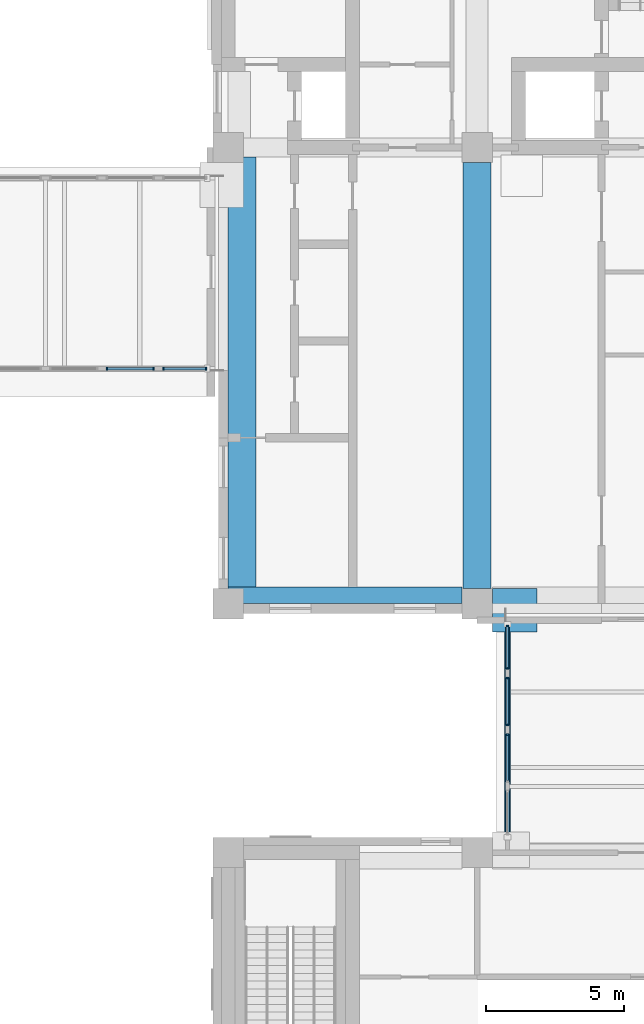
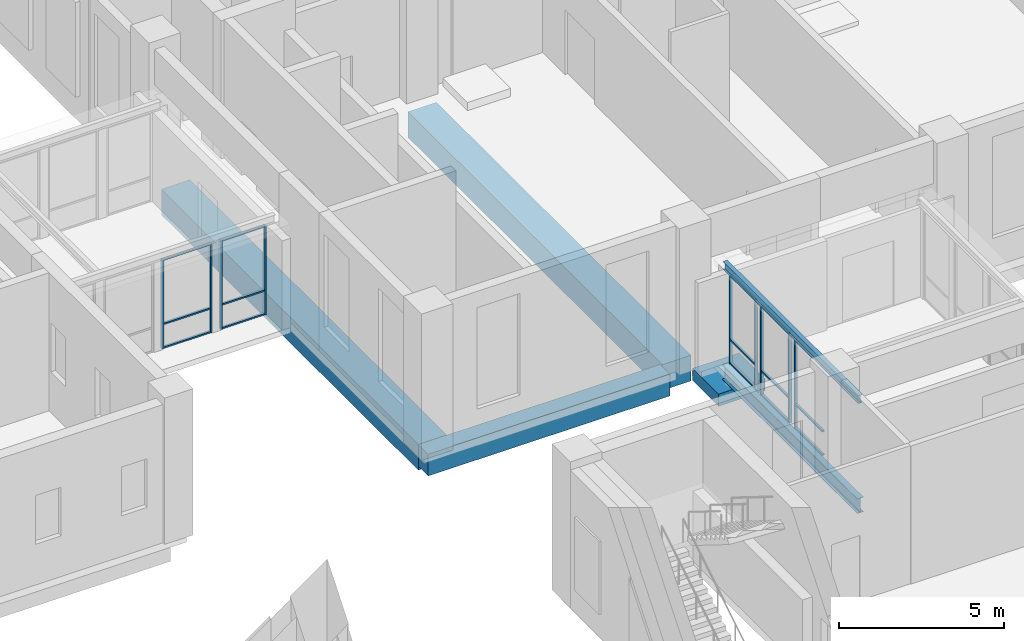
# One storey, part 13 of 52: 25 members, 5 beams, 5 elements without a shape of their own.
"""IFC4 building model written with IfcOpenShell, lengths in metres."""

from ifc_helpers import new_model, si_unit, direction, frame, origin, origin_2d, place, context, subcontext, project, spatial, rectangle, i_section, extrude, material, layer, layer_set, material_profile, profile_set, type_object, element, aggregate, save


model = new_model("IFC4")

# Units and contexts
model_context = context("Model", 3, precision=1e-05, world=origin(), true_north=direction((0.0, 1.0)))
body_context = subcontext(model_context, "Body", "Model", "MODEL_VIEW")
ifc_project = project(units=[si_unit("LENGTHUNIT", "METRE"), si_unit("AREAUNIT", "SQUARE_METRE"), si_unit("VOLUMEUNIT", "CUBIC_METRE"), si_unit("PLANEANGLEUNIT", "RADIAN"), si_unit("MASSUNIT", "GRAM", prefix="KILO")], contexts=[model_context])

# Site, building, storey
site_placement = place(None, origin())
site = spatial("IfcSite", under=ifc_project, at=site_placement, CompositionType="ELEMENT")
building_placement = place(site_placement, origin())
building = spatial("IfcBuilding", under=site, at=building_placement, Name="Aurelan Courthouse", CompositionType="ELEMENT")
storey_placement = place(building_placement, frame((0.0, 0.0, 6.60009765625)))
storey = spatial("IfcBuildingStorey", under=building, at=storey_placement, Name="L01", CompositionType="ELEMENT", Elevation=6.60009765625)

# Beam
ifc_material_1 = material(Name="Steel S355", Category="steel")
ifc_material_profile_1 = material_profile(ifc_material_1, i_section(OverallWidth=0.2099609375, OverallDepth=0.550048828125, WebThickness=0.010986328125, FlangeThickness=0.01708984375, FilletRadius=0.02392578125, at=origin_2d()), Name="IPE 550")
ifc_profile_set_1 = profile_set([ifc_material_profile_1], Name="Steel S355")
beam_type_1 = type_object("IfcBeamType", Name="Bridge girder IPE 550", PredefinedType="BEAM", material=ifc_profile_set_1)
beam_1_placement = place(storey_placement, frame((46.10009765625, 28.85009765625, -0.47509765625), z_axis=(0.0, 1.0, 0.0), x_axis=(-1.0, 0.0, 0.0)))
element("IfcBeam", 1, at=beam_1_placement, inside=storey, type_object=beam_type_1, Name="Bridge girder BG-5", PredefinedType="BEAM", context=body_context, shape_type="SweptSolid", body=[
    extrude(i_section(OverallWidth=0.2099609375, OverallDepth=0.550048828125, WebThickness=0.010986328125, FlangeThickness=0.01708984375, FilletRadius=0.02392578125, at=origin_2d()), origin(), (0.0, 0.0, 1.0), 8.1748046875),
])

# Member
ifc_material_2 = material(Name="Concrete C50", Category="concrete")
member_type_1 = type_object("IfcMemberType", Name="Corbel 1575 x 1625 x 450", PredefinedType="USERDEFINED", material=ifc_material_2)
member_1_placement = place(storey_placement, frame((46.362548828125, 37.262451171875, -1.25), z_axis=(0.0, 0.0, 1.0), x_axis=(1.0, 0.0, 0.0)))
element("IfcMember", 2, at=member_1_placement, inside=storey, type_object=member_type_1, Name="Corbel CO-10", ObjectType="CORBEL", PredefinedType="USERDEFINED", context=body_context, shape_type="SweptSolid", body=[
    extrude(rectangle(XDim=1.625, YDim=1.574951171875, at=origin_2d()), origin(), (0.0, 0.0, 1.0), 0.449951171875),
])

# Beams
ifc_material_profile_2 = material_profile(ifc_material_2, rectangle(XDim=1.0, YDim=0.949951171875, at=origin_2d()), Name="RC 1000 x 950")
ifc_profile_set_2 = profile_set([ifc_material_profile_2], Name="Concrete C50")
beam_type_2 = type_object("IfcBeamType", Name="PT girder 1000 x 950", PredefinedType="BEAM", material=ifc_profile_set_2)
beam_2_placement = place(storey_placement, frame((36.5, 38.10009765625, -0.775146484375), z_axis=(0.0, 1.0, 0.0), x_axis=(-1.0, 0.0, 0.0)))
element("IfcBeam", 3, at=beam_2_placement, inside=storey, type_object=beam_type_2, Name="Girder GB-5DE-E", PredefinedType="BEAM", context=body_context, shape_type="SweptSolid", body=[
    extrude(rectangle(XDim=1.0, YDim=0.949951171875, at=origin_2d()), origin(), (0.0, 0.0, 1.0), 15.5498046875),
])
beam_3_placement = place(storey_placement, frame((45.0, 38.050048828125, -0.775146484375), z_axis=(0.0, 1.0, 0.0), x_axis=(-1.0, 0.0, 0.0)))
element("IfcBeam", 4, at=beam_3_placement, inside=storey, type_object=beam_type_2, Name="Girder GB-6DE", PredefinedType="BEAM", context=body_context, shape_type="SweptSolid", body=[
    extrude(rectangle(XDim=1.0, YDim=0.949951171875, at=origin_2d()), origin(), (0.0, 0.0, 1.0), 15.39990234375),
])
ifc_material_profile_3 = material_profile(ifc_material_1, i_section(OverallWidth=0.14990234375, OverallDepth=0.300048828125, WebThickness=0.007080078125, FlangeThickness=0.0107421875, FilletRadius=0.014892578125, at=origin_2d()), Name="IPE 300")
ifc_profile_set_3 = profile_set([ifc_material_profile_3], Name="Steel S355")
beam_type_3 = type_object("IfcBeamType", Name="Passage edge beam IPE 300", PredefinedType="BEAM", material=ifc_profile_set_3)
beam_4_placement = place(storey_placement, frame((46.10009765625, 28.85009765625, 3.449951171875), z_axis=(0.0, 1.0, 0.0), x_axis=(-1.0, 0.0, 0.0)))
element("IfcBeam", 5, at=beam_4_placement, inside=storey, type_object=beam_type_3, Name="Passage edge beam BR3-BA", PredefinedType="BEAM", context=body_context, shape_type="SweptSolid", body=[
    extrude(i_section(OverallWidth=0.14990234375, OverallDepth=0.300048828125, WebThickness=0.007080078125, FlangeThickness=0.0107421875, FilletRadius=0.014892578125, at=origin_2d()), origin(), (0.0, 0.0, 1.0), 8.1748046875),
])

# Curtain wall, member
ifc_material_3 = material(Name="Bronze-finished aluminium and glass", Category="aluminium")
ifc_layer_1 = layer(ifc_material_3, 0.1201171875)
ifc_layer_set_1 = layer_set([ifc_layer_1], Name="Bronze-finished aluminium and glass")
curtain_wall_type_1 = type_object("IfcCurtainWallType", Name="Passage glazing 1744 x 3300", PredefinedType="NOTDEFINED", material=ifc_layer_set_1)
curtain_wall_1_placement = place(storey_placement, origin())
curtain_wall_1 = element("IfcCurtainWall", 6, at=curtain_wall_1_placement, inside=storey, type_object=curtain_wall_type_1, Name="Curtain wall CW-L01-BR302", PredefinedType="NOTDEFINED")
ifc_material_4 = material(Name="Bronze-finished aluminium", Category="aluminium")
ifc_material_profile_4 = material_profile(ifc_material_4, rectangle(XDim=0.10009765625, YDim=0.054931640625, at=origin_2d()), Name="Passage glazing mullion 55 x 100")
ifc_profile_set_4 = profile_set([ifc_material_profile_4], Name="Bronze-finished aluminium")
member_type_2 = type_object("IfcMemberType", Name="Passage glazing mullion 55 x 100", PredefinedType="MULLION", material=ifc_profile_set_4)
member_2_placement = place(storey_placement, frame((46.10009765625, 32.760009765625, 0.0), z_axis=(0.0, 0.0, 1.0), x_axis=(-1.0, 0.0, 0.0)))
member_2 = element("IfcMember", 7, at=member_2_placement, type_object=member_type_2, Name="CW-L01-BR302 mullion 2", PredefinedType="MULLION", context=body_context, shape_type="SweptSolid", body=[
    extrude(rectangle(XDim=0.10009765625, YDim=0.054931640625, at=origin_2d()), origin(), (0.0, 0.0, 1.0), 3.2998046875),
])

# Curtain wall, members
curtain_wall_2_placement = place(storey_placement, origin())
curtain_wall_2 = element("IfcCurtainWall", 8, at=curtain_wall_2_placement, inside=storey, type_object=curtain_wall_type_1, Name="Curtain wall CW-L01-BR303", PredefinedType="NOTDEFINED")
member_3_placement = place(storey_placement, frame((46.10009765625, 33.114990234375, 0.0), z_axis=(0.0, 0.0, 1.0), x_axis=(-1.0, 0.0, 0.0)))
member_3 = element("IfcMember", 9, at=member_3_placement, type_object=member_type_2, Name="CW-L01-BR303 mullion 1", PredefinedType="MULLION", context=body_context, shape_type="SweptSolid", body=[
    extrude(rectangle(XDim=0.10009765625, YDim=0.054931640625, at=origin_2d()), origin(), (0.0, 0.0, 1.0), 3.2998046875),
])
member_4_placement = place(storey_placement, frame((46.10009765625, 34.8037109375, 0.0), z_axis=(0.0, 0.0, 1.0), x_axis=(-1.0, 0.0, 0.0)))
member_4 = element("IfcMember", 10, at=member_4_placement, type_object=member_type_2, Name="CW-L01-BR303 mullion 2", PredefinedType="MULLION", context=body_context, shape_type="SweptSolid", body=[
    extrude(rectangle(XDim=0.10009765625, YDim=0.054931640625, at=origin_2d()), origin(), (0.0, 0.0, 1.0), 3.2998046875),
])

ifc_layer_2 = layer(ifc_material_3, 0.1201171875)
ifc_layer_set_2 = layer_set([ifc_layer_2], Name="Bronze-finished aluminium and glass")
curtain_wall_type_2 = type_object("IfcCurtainWallType", Name="Passage glazing 1594 x 3300", PredefinedType="NOTDEFINED", material=ifc_layer_set_2)
curtain_wall_3_placement = place(storey_placement, origin())
curtain_wall_3 = element("IfcCurtainWall", 11, at=curtain_wall_3_placement, inside=storey, type_object=curtain_wall_type_2, Name="Curtain wall CW-L01-BR304", PredefinedType="NOTDEFINED")
member_5_placement = place(storey_placement, frame((46.10009765625, 35.15869140625, 0.0), z_axis=(0.0, 0.0, 1.0), x_axis=(-1.0, 0.0, 0.0)))
member_5 = element("IfcMember", 12, at=member_5_placement, type_object=member_type_2, Name="CW-L01-BR304 mullion 1", PredefinedType="MULLION", context=body_context, shape_type="SweptSolid", body=[
    extrude(rectangle(XDim=0.10009765625, YDim=0.054931640625, at=origin_2d()), origin(), (0.0, 0.0, 1.0), 3.2998046875),
])
member_6_placement = place(storey_placement, frame((46.10009765625, 36.697509765625, 0.0), z_axis=(0.0, 0.0, 1.0), x_axis=(-1.0, 0.0, 0.0)))
member_6 = element("IfcMember", 13, at=member_6_placement, type_object=member_type_2, Name="CW-L01-BR304 mullion 2", PredefinedType="MULLION", context=body_context, shape_type="SweptSolid", body=[
    extrude(rectangle(XDim=0.10009765625, YDim=0.054931640625, at=origin_2d()), origin(), (0.0, 0.0, 1.0), 3.2998046875),
])

curtain_wall_4_placement = place(storey_placement, origin())
curtain_wall_4 = element("IfcCurtainWall", 14, at=curtain_wall_4_placement, inside=storey, type_object=curtain_wall_type_1, Name="Curtain wall CW-L01-BR403", PredefinedType="NOTDEFINED")
member_7_placement = place(storey_placement, frame((31.614990234375, 46.0, 0.0), z_axis=(0.0, 0.0, 1.0), x_axis=(0.0, 1.0, 0.0)))
member_7 = element("IfcMember", 15, at=member_7_placement, type_object=member_type_2, Name="CW-L01-BR403 mullion 1", PredefinedType="MULLION", context=body_context, shape_type="SweptSolid", body=[
    extrude(rectangle(XDim=0.10009765625, YDim=0.054931640625, at=origin_2d()), origin(), (0.0, 0.0, 1.0), 3.2998046875),
])
member_8_placement = place(storey_placement, frame((33.3037109375, 46.0, 0.0), z_axis=(0.0, 0.0, 1.0), x_axis=(0.0, 1.0, 0.0)))
member_8 = element("IfcMember", 16, at=member_8_placement, type_object=member_type_2, Name="CW-L01-BR403 mullion 2", PredefinedType="MULLION", context=body_context, shape_type="SweptSolid", body=[
    extrude(rectangle(XDim=0.10009765625, YDim=0.054931640625, at=origin_2d()), origin(), (0.0, 0.0, 1.0), 3.2998046875),
])

curtain_wall_5_placement = place(storey_placement, origin())
curtain_wall_5 = element("IfcCurtainWall", 17, at=curtain_wall_5_placement, inside=storey, type_object=curtain_wall_type_2, Name="Curtain wall CW-L01-BR404", PredefinedType="NOTDEFINED")
member_9_placement = place(storey_placement, frame((33.65869140625, 46.0, 0.0), z_axis=(0.0, 0.0, 1.0), x_axis=(0.0, 1.0, 0.0)))
member_9 = element("IfcMember", 18, at=member_9_placement, type_object=member_type_2, Name="CW-L01-BR404 mullion 1", PredefinedType="MULLION", context=body_context, shape_type="SweptSolid", body=[
    extrude(rectangle(XDim=0.10009765625, YDim=0.054931640625, at=origin_2d()), origin(), (0.0, 0.0, 1.0), 3.2998046875),
])
member_10_placement = place(storey_placement, frame((35.197509765625, 46.0, 0.0), z_axis=(0.0, 0.0, 1.0), x_axis=(0.0, 1.0, 0.0)))
member_10 = element("IfcMember", 19, at=member_10_placement, type_object=member_type_2, Name="CW-L01-BR404 mullion 2", PredefinedType="MULLION", context=body_context, shape_type="SweptSolid", body=[
    extrude(rectangle(XDim=0.10009765625, YDim=0.054931640625, at=origin_2d()), origin(), (0.0, 0.0, 1.0), 3.2998046875),
])

# Member
ifc_material_profile_5 = material_profile(ifc_material_4, rectangle(XDim=0.080078125, YDim=0.054931640625, at=origin_2d()), Name="Passage glazing transom 55 x 80")
ifc_profile_set_5 = profile_set([ifc_material_profile_5], Name="Bronze-finished aluminium")
member_type_3 = type_object("IfcMemberType", Name="Passage glazing transom 55 x 80", PredefinedType="USERDEFINED", material=ifc_profile_set_5)
member_11_placement = place(storey_placement, frame((46.10009765625, 31.0986328125, 0.02734375), z_axis=(0.0, 1.0, 0.0), x_axis=(-1.0, 0.0, 0.0)))
member_11 = element("IfcMember", 20, at=member_11_placement, type_object=member_type_3, Name="CW-L01-BR302 transom 1.1", ObjectType="TRANSOM", PredefinedType="USERDEFINED", context=body_context, shape_type="SweptSolid", body=[
    extrude(rectangle(XDim=0.080078125, YDim=0.054931640625, at=origin_2d()), origin(), (0.0, 0.0, 1.0), 1.6337890625),
])

member_12_placement = place(storey_placement, frame((46.10009765625, 31.0986328125, 0.89990234375), z_axis=(0.0, 1.0, 0.0), x_axis=(-1.0, 0.0, 0.0)))
member_12 = element("IfcMember", 21, at=member_12_placement, type_object=member_type_3, Name="CW-L01-BR302 transom 1.2", ObjectType="TRANSOM", PredefinedType="USERDEFINED", context=body_context, shape_type="SweptSolid", body=[
    extrude(rectangle(XDim=0.080078125, YDim=0.054931640625, at=origin_2d()), origin(), (0.0, 0.0, 1.0), 1.6337890625),
])

member_13_placement = place(storey_placement, frame((46.10009765625, 31.0986328125, 3.2724609375), z_axis=(0.0, 1.0, 0.0), x_axis=(-1.0, 0.0, 0.0)))
member_13 = element("IfcMember", 22, at=member_13_placement, type_object=member_type_3, Name="CW-L01-BR302 transom 1.3", ObjectType="TRANSOM", PredefinedType="USERDEFINED", context=body_context, shape_type="SweptSolid", body=[
    extrude(rectangle(XDim=0.080078125, YDim=0.054931640625, at=origin_2d()), origin(), (0.0, 0.0, 1.0), 1.6337890625),
])

aggregate(curtain_wall_1, [member_2, member_11, member_12, member_13])

member_14_placement = place(storey_placement, frame((46.10009765625, 33.142578125, 0.02734375), z_axis=(0.0, 1.0, 0.0), x_axis=(-1.0, 0.0, 0.0)))
member_14 = element("IfcMember", 23, at=member_14_placement, type_object=member_type_3, Name="CW-L01-BR303 transom 1.1", ObjectType="TRANSOM", PredefinedType="USERDEFINED", context=body_context, shape_type="SweptSolid", body=[
    extrude(rectangle(XDim=0.080078125, YDim=0.054931640625, at=origin_2d()), origin(), (0.0, 0.0, 1.0), 1.6337890625),
])

member_15_placement = place(storey_placement, frame((46.10009765625, 33.142578125, 0.89990234375), z_axis=(0.0, 1.0, 0.0), x_axis=(-1.0, 0.0, 0.0)))
member_15 = element("IfcMember", 24, at=member_15_placement, type_object=member_type_3, Name="CW-L01-BR303 transom 1.2", ObjectType="TRANSOM", PredefinedType="USERDEFINED", context=body_context, shape_type="SweptSolid", body=[
    extrude(rectangle(XDim=0.080078125, YDim=0.054931640625, at=origin_2d()), origin(), (0.0, 0.0, 1.0), 1.6337890625),
])

member_16_placement = place(storey_placement, frame((46.10009765625, 33.142578125, 3.2724609375), z_axis=(0.0, 1.0, 0.0), x_axis=(-1.0, 0.0, 0.0)))
member_16 = element("IfcMember", 25, at=member_16_placement, type_object=member_type_3, Name="CW-L01-BR303 transom 1.3", ObjectType="TRANSOM", PredefinedType="USERDEFINED", context=body_context, shape_type="SweptSolid", body=[
    extrude(rectangle(XDim=0.080078125, YDim=0.054931640625, at=origin_2d()), origin(), (0.0, 0.0, 1.0), 1.6337890625),
])

aggregate(curtain_wall_2, [member_3, member_4, member_14, member_15, member_16])

member_17_placement = place(storey_placement, frame((46.10009765625, 35.186279296875, 0.02734375), z_axis=(0.0, 1.0, 0.0), x_axis=(-1.0, 0.0, 0.0)))
member_17 = element("IfcMember", 26, at=member_17_placement, type_object=member_type_3, Name="CW-L01-BR304 transom 1.1", ObjectType="TRANSOM", PredefinedType="USERDEFINED", context=body_context, shape_type="SweptSolid", body=[
    extrude(rectangle(XDim=0.080078125, YDim=0.054931640625, at=origin_2d()), origin(), (0.0, 0.0, 1.0), 1.483642578125),
])

member_18_placement = place(storey_placement, frame((46.10009765625, 35.186279296875, 0.89990234375), z_axis=(0.0, 1.0, 0.0), x_axis=(-1.0, 0.0, 0.0)))
member_18 = element("IfcMember", 27, at=member_18_placement, type_object=member_type_3, Name="CW-L01-BR304 transom 1.2", ObjectType="TRANSOM", PredefinedType="USERDEFINED", context=body_context, shape_type="SweptSolid", body=[
    extrude(rectangle(XDim=0.080078125, YDim=0.054931640625, at=origin_2d()), origin(), (0.0, 0.0, 1.0), 1.483642578125),
])

member_19_placement = place(storey_placement, frame((46.10009765625, 35.186279296875, 3.2724609375), z_axis=(0.0, 1.0, 0.0), x_axis=(-1.0, 0.0, 0.0)))
member_19 = element("IfcMember", 28, at=member_19_placement, type_object=member_type_3, Name="CW-L01-BR304 transom 1.3", ObjectType="TRANSOM", PredefinedType="USERDEFINED", context=body_context, shape_type="SweptSolid", body=[
    extrude(rectangle(XDim=0.080078125, YDim=0.054931640625, at=origin_2d()), origin(), (0.0, 0.0, 1.0), 1.483642578125),
])

aggregate(curtain_wall_3, [member_5, member_6, member_17, member_18, member_19])

member_20_placement = place(storey_placement, frame((31.642578125, 46.0, 0.02734375), z_axis=(1.0, 0.0, 0.0), x_axis=(0.0, 1.0, 0.0)))
member_20 = element("IfcMember", 29, at=member_20_placement, type_object=member_type_3, Name="CW-L01-BR403 transom 1.1", ObjectType="TRANSOM", PredefinedType="USERDEFINED", context=body_context, shape_type="SweptSolid", body=[
    extrude(rectangle(XDim=0.080078125, YDim=0.054931640625, at=origin_2d()), origin(), (0.0, 0.0, 1.0), 1.6337890625),
])

member_21_placement = place(storey_placement, frame((31.642578125, 46.0, 0.89990234375), z_axis=(1.0, 0.0, 0.0), x_axis=(0.0, 1.0, 0.0)))
member_21 = element("IfcMember", 30, at=member_21_placement, type_object=member_type_3, Name="CW-L01-BR403 transom 1.2", ObjectType="TRANSOM", PredefinedType="USERDEFINED", context=body_context, shape_type="SweptSolid", body=[
    extrude(rectangle(XDim=0.080078125, YDim=0.054931640625, at=origin_2d()), origin(), (0.0, 0.0, 1.0), 1.6337890625),
])

member_22_placement = place(storey_placement, frame((31.642578125, 46.0, 3.2724609375), z_axis=(1.0, 0.0, 0.0), x_axis=(0.0, 1.0, 0.0)))
member_22 = element("IfcMember", 31, at=member_22_placement, type_object=member_type_3, Name="CW-L01-BR403 transom 1.3", ObjectType="TRANSOM", PredefinedType="USERDEFINED", context=body_context, shape_type="SweptSolid", body=[
    extrude(rectangle(XDim=0.080078125, YDim=0.054931640625, at=origin_2d()), origin(), (0.0, 0.0, 1.0), 1.6337890625),
])

aggregate(curtain_wall_4, [member_7, member_8, member_20, member_21, member_22])

member_23_placement = place(storey_placement, frame((33.686279296875, 46.0, 0.02734375), z_axis=(1.0, 0.0, 0.0), x_axis=(0.0, 1.0, 0.0)))
member_23 = element("IfcMember", 32, at=member_23_placement, type_object=member_type_3, Name="CW-L01-BR404 transom 1.1", ObjectType="TRANSOM", PredefinedType="USERDEFINED", context=body_context, shape_type="SweptSolid", body=[
    extrude(rectangle(XDim=0.080078125, YDim=0.054931640625, at=origin_2d()), origin(), (0.0, 0.0, 1.0), 1.483642578125),
])

member_24_placement = place(storey_placement, frame((33.686279296875, 46.0, 0.89990234375), z_axis=(1.0, 0.0, 0.0), x_axis=(0.0, 1.0, 0.0)))
member_24 = element("IfcMember", 33, at=member_24_placement, type_object=member_type_3, Name="CW-L01-BR404 transom 1.2", ObjectType="TRANSOM", PredefinedType="USERDEFINED", context=body_context, shape_type="SweptSolid", body=[
    extrude(rectangle(XDim=0.080078125, YDim=0.054931640625, at=origin_2d()), origin(), (0.0, 0.0, 1.0), 1.483642578125),
])

member_25_placement = place(storey_placement, frame((33.686279296875, 46.0, 3.2724609375), z_axis=(1.0, 0.0, 0.0), x_axis=(0.0, 1.0, 0.0)))
member_25 = element("IfcMember", 34, at=member_25_placement, type_object=member_type_3, Name="CW-L01-BR404 transom 1.3", ObjectType="TRANSOM", PredefinedType="USERDEFINED", context=body_context, shape_type="SweptSolid", body=[
    extrude(rectangle(XDim=0.080078125, YDim=0.054931640625, at=origin_2d()), origin(), (0.0, 0.0, 1.0), 1.483642578125),
])

aggregate(curtain_wall_5, [member_9, member_10, member_23, member_24, member_25])

# Beam
ifc_material_profile_6 = material_profile(ifc_material_2, rectangle(XDim=0.60009765625, YDim=0.800048828125, at=origin_2d()), Name="RC 600 x 800")
ifc_profile_set_6 = profile_set([ifc_material_profile_6], Name="Concrete C50")
beam_type_4 = type_object("IfcBeamType", Name="RC spandrel beam 600 x 800", PredefinedType="SPANDREL", material=ifc_profile_set_6)
beam_5_placement = place(storey_placement, frame((36.0, 37.800048828125, -0.7001953125), z_axis=(1.0, 0.0, 0.0), x_axis=(0.0, 1.0, 0.0)))
element("IfcBeam", 35, at=beam_5_placement, inside=storey, type_object=beam_type_4, Name="Spandrel beam SB-D-5-6", PredefinedType="SPANDREL", context=body_context, shape_type="SweptSolid", body=[
    extrude(rectangle(XDim=0.60009765625, YDim=0.800048828125, at=origin_2d()), origin(), (0.0, 0.0, 1.0), 8.449951171875),
])

save(model, "model.ifc")
